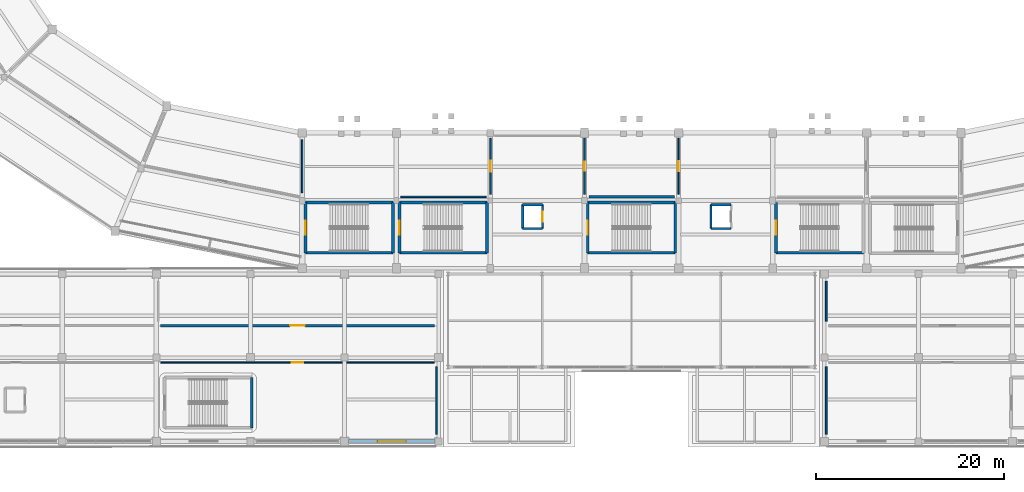
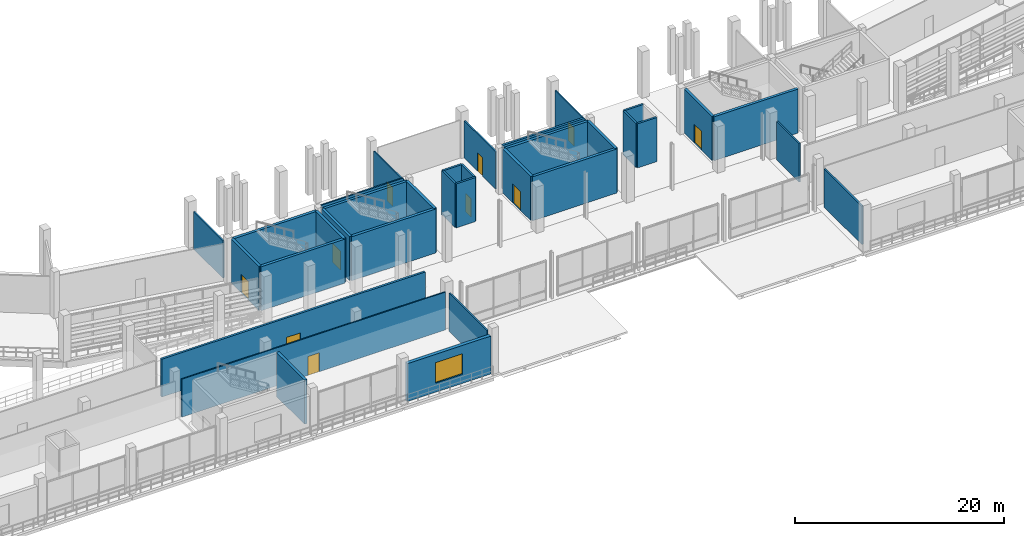
# One storey, part 72 of 114: 34 walls, 10 doors, 1 window, 11 openings.
"""IFC4 building model written with IfcOpenShell, lengths in metres."""

from ifc_helpers import new_model, si_unit, direction, frame, frame_2d, origin, place, context, subcontext, project, spatial, rectangle, extrude, material, layer, layer_set, type_object, element, fill, save


model = new_model("IFC4")

# Units and contexts
model_context = context("Model", 3, precision=1e-05, world=origin(), true_north=direction((0.0, 1.0)))
body_context = subcontext(model_context, "Body", "Model", "MODEL_VIEW")
ifc_project = project(units=[si_unit("LENGTHUNIT", "METRE"), si_unit("AREAUNIT", "SQUARE_METRE"), si_unit("VOLUMEUNIT", "CUBIC_METRE"), si_unit("PLANEANGLEUNIT", "RADIAN"), si_unit("MASSUNIT", "GRAM", prefix="KILO")], contexts=[model_context])

# Site, building, storey
site_placement = place(None, origin())
site = spatial("IfcSite", under=ifc_project, at=site_placement, CompositionType="ELEMENT")
building_placement = place(site_placement, origin())
building = spatial("IfcBuilding", under=site, at=building_placement, Name="Candeia Ridge Stadium", CompositionType="ELEMENT")
storey_placement = place(building_placement, frame((0.0, 0.0, 5.39990234375)))
storey = spatial("IfcBuildingStorey", under=building, at=storey_placement, Name="L01", CompositionType="ELEMENT", Elevation=5.39990234375)

# Wall, opening, door
ifc_material_1 = material(Name="Gypsum Metal-Stud Partition", Category="gypsum")
ifc_layer_1 = layer(ifc_material_1, 0.14501953125, Name="Gypsum Metal-Stud Partition", Category="gypsum")
ifc_layer_set_1 = layer_set([ifc_layer_1], Name="Gypsum Metal-Stud Partition")
wall_type_1 = type_object("IfcWallType", Name="Athlete Recovery Partition 145", PredefinedType="PARTITIONING", material=ifc_layer_set_1)
wall_1_placement = place(storey_placement, frame((91.0, 32.85009765625, 0.0), z_axis=(0.0, 0.0, 1.0), x_axis=(0.0, -1.0, 0.0)))
wall_1 = element("IfcWall", 1, at=wall_1_placement, inside=storey, type_object=wall_type_1, Name="Interior partition PT-L01-0306", PredefinedType="PARTITIONING", context=body_context, shape_type="SweptSolid", body=[
    extrude(rectangle(XDim=6.0, YDim=0.14501953125, at=frame_2d((3.0, 0.0))), origin(), (0.0, 0.0, 1.0), 4.30517578125),
])
opening_1_placement = place(wall_1_placement, frame((2.43994140625, 0.0, 0.0)))
opening_1 = element("IfcOpeningElement", 2, at=opening_1_placement, cuts=wall_1, Name="Opening ID18", PredefinedType="OPENING", context=body_context, shape_type="SweptSolid", body=[
    extrude(rectangle(XDim=1.1201171875, YDim=2.199951171875, at=frame_2d((0.56005859375, 1.10009765625))), frame((0.0, 0.08251953125, 0.0), z_axis=(0.0, -1.0, 0.0), x_axis=(1.0, 0.0, 0.0)), (0.0, 0.0, 1.0), 0.1650390625),
])
ifc_material_2 = material(Name="Galvanized Fire-Rated Steel", Category="steel")
door_type_1 = type_object("IfcDoorType", Name="Control Room Security Door 1120x2200", OperationType="NOTDEFINED", PredefinedType="DOOR", material=ifc_material_2)
door_1_placement = place(opening_1_placement, frame((1.1201171875, 0.0, 0.0), z_axis=(0.0, 0.0, 1.0), x_axis=(-1.0, 0.0, 0.0)))
door_1 = element("IfcDoor", 3, at=door_1_placement, inside=storey, type_object=door_type_1, Name="Interior room door D-L01-0158", OperationType="SINGLE_SWING_RIGHT", OverallHeight=2.199951171875, OverallWidth=1.1201171875, PredefinedType="DOOR", context=body_context, shape_type="SweptSolid", body=[
    extrude(rectangle(XDim=1.1201171875, YDim=2.199951171875, at=frame_2d((0.56005859375, 1.10009765625))), frame((0.0, 0.02490234375, 0.0), z_axis=(0.0, -1.0, 0.0), x_axis=(1.0, 0.0, 0.0)), (0.0, 0.0, 1.0), 0.050048828125),
])
fill(opening_1, door_1)

# Walls
ifc_material_3 = material(Name="Gypsum Acoustic Twin-Stud Assembly", Category="gypsum")
ifc_layer_2 = layer(ifc_material_3, 0.159912109375, Name="Gypsum Acoustic Twin-Stud Assembly", Category="gypsum")
ifc_layer_set_2 = layer_set([ifc_layer_2], Name="Gypsum Acoustic Twin-Stud Assembly")
wall_type_2 = type_object("IfcWallType", Name="Club Dining Acoustic Partition 160", PredefinedType="PARTITIONING", material=ifc_layer_set_2)
wall_2_placement = place(storey_placement, frame((85.300048828125, 8.550048828125, 0.0), z_axis=(0.0, 0.0, 1.0), x_axis=(0.0, -1.0, 0.0)))
element("IfcWall", 4, at=wall_2_placement, inside=storey, type_object=wall_type_2, Name="Demising partition PT-L01-0229", PredefinedType="PARTITIONING", context=body_context, shape_type="SweptSolid", body=[
    extrude(rectangle(XDim=7.199951171875, YDim=0.159912109375, at=frame_2d((3.60009765625, 0.0))), origin(), (0.0, 0.0, 1.0), 4.47509765625),
])
ifc_material_4 = material(Name="Concrete Masonry Blockwork C25/30", Category="masonry")
ifc_layer_3 = layer(ifc_material_4, 0.14990234375, Name="Concrete Masonry Blockwork C25/30", Category="masonry")
ifc_layer_set_3 = layer_set([ifc_layer_3], Name="Concrete Masonry Blockwork C25/30")
wall_type_3 = type_object("IfcWallType", Name="Concourse Kiosk Partition 150", PredefinedType="PARTITIONING", material=ifc_layer_set_3)
wall_3_placement = place(storey_placement, frame((90.550048828125, 26.60009765625, 0.0), z_axis=(0.0, 0.0, 1.0), x_axis=(-1.0, 0.0, 0.0)))
element("IfcWall", 5, at=wall_3_placement, inside=storey, type_object=wall_type_3, Name="Demising partition PT-L01-0307", PredefinedType="PARTITIONING", context=body_context, shape_type="SweptSolid", body=[
    extrude(rectangle(XDim=9.06005859375, YDim=0.14990234375, at=frame_2d((4.530029296875, 0.0))), origin(), (0.0, 0.0, 1.0), 5.1201171875),
])
ifc_material_5 = material(Name="Concrete C45/55", Category="concrete")
ifc_layer_4 = layer(ifc_material_5, 0.300048828125, Name="Concrete C45/55", Category="concrete")
ifc_layer_set_4 = layer_set([ifc_layer_4], Name="Concrete C45/55")
wall_type_4 = type_object("IfcWallType", Name="Core Shear Wall Concrete 300", PredefinedType="SHEAR", material=ifc_layer_set_4)
wall_4_placement = place(storey_placement, frame((71.350341796875, 20.650390625, 0.0), z_axis=(0.0, 0.0, 1.0), x_axis=(1.0, 0.0, 0.0)))
element("IfcWall", 6, at=wall_4_placement, inside=storey, type_object=wall_type_4, Name="Core C02 left shear wall L01", PredefinedType="SHEAR", context=body_context, shape_type="SweptSolid", body=[
    extrude(rectangle(XDim=9.29931640625, YDim=0.300048828125, at=frame_2d((4.649658203125, 0.0))), origin(), (0.0, 0.0, 1.0), 5.14013671875),
])
wall_5_placement = place(storey_placement, frame((80.649658203125, 20.650390625, 0.0), z_axis=(0.0, 0.0, 1.0), x_axis=(0.0, 1.0, 0.0)))
element("IfcWall", 7, at=wall_5_placement, inside=storey, type_object=wall_type_4, Name="Core C02 far shear wall L01", PredefinedType="SHEAR", context=body_context, shape_type="SweptSolid", body=[
    extrude(rectangle(XDim=5.34912109375, YDim=0.300048828125, at=frame_2d((2.674560546875, 0.0))), origin(), (0.0, 0.0, 1.0), 5.14013671875),
])
wall_6_placement = place(storey_placement, frame((80.649658203125, 25.99951171875, 0.0), z_axis=(0.0, 0.0, 1.0), x_axis=(-1.0, 0.0, 0.0)))
element("IfcWall", 8, at=wall_6_placement, inside=storey, type_object=wall_type_4, Name="Core C02 right shear wall L01", PredefinedType="SHEAR", context=body_context, shape_type="SweptSolid", body=[
    extrude(rectangle(XDim=9.29931640625, YDim=0.300048828125, at=frame_2d((4.649658203125, 0.0))), origin(), (0.0, 0.0, 1.0), 5.14013671875),
])

# Wall, opening, door
wall_7_placement = place(storey_placement, frame((71.350341796875, 25.99951171875, 0.0), z_axis=(0.0, 0.0, 1.0), x_axis=(0.0, -1.0, 0.0)))
wall_7 = element("IfcWall", 9, at=wall_7_placement, inside=storey, type_object=wall_type_4, Name="Core C02 near shear wall L01", PredefinedType="SHEAR", context=body_context, shape_type="SweptSolid", body=[
    extrude(rectangle(XDim=5.34912109375, YDim=0.300048828125, at=frame_2d((2.674560546875, 0.0))), origin(), (0.0, 0.0, 1.0), 5.14013671875),
])
opening_2_placement = place(wall_7_placement, frame((1.924560546875, 0.0, 0.0)))
opening_2 = element("IfcOpeningElement", 10, at=opening_2_placement, cuts=wall_7, Name="Opening FD01", PredefinedType="OPENING", context=body_context, shape_type="SweptSolid", body=[
    extrude(rectangle(XDim=1.5, YDim=2.199951171875, at=frame_2d((0.75, 1.10009765625))), frame((0.0, 0.159912109375, 0.0), z_axis=(0.0, -1.0, 0.0), x_axis=(1.0, 0.0, 0.0)), (0.0, 0.0, 1.0), 0.320068359375),
])
door_type_2 = type_object("IfcDoorType", Name="Exit Stair Core Fire Door 1500x2200", OperationType="NOTDEFINED", PredefinedType="DOOR", material=ifc_material_2)
door_2_placement = place(opening_2_placement, origin())
door_2 = element("IfcDoor", 11, at=door_2_placement, inside=storey, type_object=door_type_2, Name="Exit stair fire door SD-ST02-L01", OperationType="DOUBLE_DOOR_SINGLE_SWING", OverallHeight=2.199951171875, OverallWidth=1.5, PredefinedType="DOOR", context=body_context, shape_type="SweptSolid", body=[
    extrude(rectangle(XDim=1.5, YDim=2.199951171875, at=frame_2d((0.75, 1.10009765625))), frame((0.0, 0.02490234375, 0.0), z_axis=(0.0, -1.0, 0.0), x_axis=(1.0, 0.0, 0.0)), (0.0, 0.0, 1.0), 0.050048828125),
])
fill(opening_2, door_2)

# Walls
wall_8_placement = place(storey_placement, frame((81.350341796875, 20.650390625, 0.0), z_axis=(0.0, 0.0, 1.0), x_axis=(1.0, 0.0, 0.0)))
element("IfcWall", 12, at=wall_8_placement, inside=storey, type_object=wall_type_4, Name="Core C11 left shear wall L01", PredefinedType="SHEAR", context=body_context, shape_type="SweptSolid", body=[
    extrude(rectangle(XDim=9.29931640625, YDim=0.300048828125, at=frame_2d((4.649658203125, 0.0))), origin(), (0.0, 0.0, 1.0), 5.14013671875),
])
wall_9_placement = place(storey_placement, frame((90.649658203125, 20.650390625, 0.0), z_axis=(0.0, 0.0, 1.0), x_axis=(0.0, 1.0, 0.0)))
element("IfcWall", 13, at=wall_9_placement, inside=storey, type_object=wall_type_4, Name="Core C11 far shear wall L01", PredefinedType="SHEAR", context=body_context, shape_type="SweptSolid", body=[
    extrude(rectangle(XDim=5.34912109375, YDim=0.300048828125, at=frame_2d((2.674560546875, 0.0))), origin(), (0.0, 0.0, 1.0), 5.14013671875),
])
wall_10_placement = place(storey_placement, frame((90.649658203125, 25.99951171875, 0.0), z_axis=(0.0, 0.0, 1.0), x_axis=(-1.0, 0.0, 0.0)))
element("IfcWall", 14, at=wall_10_placement, inside=storey, type_object=wall_type_4, Name="Core C11 right shear wall L01", PredefinedType="SHEAR", context=body_context, shape_type="SweptSolid", body=[
    extrude(rectangle(XDim=9.29931640625, YDim=0.300048828125, at=frame_2d((4.649658203125, 0.0))), origin(), (0.0, 0.0, 1.0), 5.14013671875),
])

# Wall, opening, door
wall_11_placement = place(storey_placement, frame((81.350341796875, 25.99951171875, 0.0), z_axis=(0.0, 0.0, 1.0), x_axis=(0.0, -1.0, 0.0)))
wall_11 = element("IfcWall", 15, at=wall_11_placement, inside=storey, type_object=wall_type_4, Name="Core C11 near shear wall L01", PredefinedType="SHEAR", context=body_context, shape_type="SweptSolid", body=[
    extrude(rectangle(XDim=5.34912109375, YDim=0.300048828125, at=frame_2d((2.674560546875, 0.0))), origin(), (0.0, 0.0, 1.0), 5.14013671875),
])
opening_3_placement = place(wall_11_placement, frame((1.924560546875, 0.0, 0.0)))
opening_3 = element("IfcOpeningElement", 16, at=opening_3_placement, cuts=wall_11, Name="Opening FD01", PredefinedType="OPENING", context=body_context, shape_type="SweptSolid", body=[
    extrude(rectangle(XDim=1.5, YDim=2.199951171875, at=frame_2d((0.75, 1.10009765625))), frame((0.0, 0.159912109375, 0.0), z_axis=(0.0, -1.0, 0.0), x_axis=(1.0, 0.0, 0.0)), (0.0, 0.0, 1.0), 0.320068359375),
])
door_3_placement = place(opening_3_placement, origin())
door_3 = element("IfcDoor", 17, at=door_3_placement, inside=storey, type_object=door_type_2, Name="Exit stair fire door SD-ST11-L01", OperationType="DOUBLE_DOOR_SINGLE_SWING", OverallHeight=2.199951171875, OverallWidth=1.5, PredefinedType="DOOR", context=body_context, shape_type="SweptSolid", body=[
    extrude(rectangle(XDim=1.5, YDim=2.199951171875, at=frame_2d((0.75, 1.10009765625))), frame((0.0, 0.02490234375, 0.0), z_axis=(0.0, -1.0, 0.0), x_axis=(1.0, 0.0, 0.0)), (0.0, 0.0, 1.0), 0.050048828125),
])
fill(opening_3, door_3)

# Wall
wall_12_placement = place(storey_placement, frame((121.350341796875, 20.650390625, 0.0), z_axis=(0.0, 0.0, 1.0), x_axis=(1.0, 0.0, 0.0)))
element("IfcWall", 18, at=wall_12_placement, inside=storey, type_object=wall_type_4, Name="Core C12 left shear wall L01", PredefinedType="SHEAR", context=body_context, shape_type="SweptSolid", body=[
    extrude(rectangle(XDim=9.29931640625, YDim=0.300048828125, at=frame_2d((4.649658203125, 0.0))), origin(), (0.0, 0.0, 1.0), 5.14013671875),
])

# Wall, opening, door
wall_13_placement = place(storey_placement, frame((121.350341796875, 25.99951171875, 0.0), z_axis=(0.0, 0.0, 1.0), x_axis=(0.0, -1.0, 0.0)))
wall_13 = element("IfcWall", 19, at=wall_13_placement, inside=storey, type_object=wall_type_4, Name="Core C12 near shear wall L01", PredefinedType="SHEAR", context=body_context, shape_type="SweptSolid", body=[
    extrude(rectangle(XDim=5.34912109375, YDim=0.300048828125, at=frame_2d((2.674560546875, 0.0))), origin(), (0.0, 0.0, 1.0), 5.14013671875),
])
opening_4_placement = place(wall_13_placement, frame((1.924560546875, 0.0, 0.0)))
opening_4 = element("IfcOpeningElement", 20, at=opening_4_placement, cuts=wall_13, Name="Opening FD01", PredefinedType="OPENING", context=body_context, shape_type="SweptSolid", body=[
    extrude(rectangle(XDim=1.5, YDim=2.199951171875, at=frame_2d((0.75, 1.10009765625))), frame((0.0, 0.159912109375, 0.0), z_axis=(0.0, -1.0, 0.0), x_axis=(1.0, 0.0, 0.0)), (0.0, 0.0, 1.0), 0.320068359375),
])
door_4_placement = place(opening_4_placement, origin())
door_4 = element("IfcDoor", 21, at=door_4_placement, inside=storey, type_object=door_type_2, Name="Exit stair fire door SD-ST12-L01", OperationType="DOUBLE_DOOR_SINGLE_SWING", OverallHeight=2.199951171875, OverallWidth=1.5, PredefinedType="DOOR", context=body_context, shape_type="SweptSolid", body=[
    extrude(rectangle(XDim=1.5, YDim=2.199951171875, at=frame_2d((0.75, 1.10009765625))), frame((0.0, 0.02490234375, 0.0), z_axis=(0.0, -1.0, 0.0), x_axis=(1.0, 0.0, 0.0)), (0.0, 0.0, 1.0), 0.050048828125),
])
fill(opening_4, door_4)

# Walls
wall_14_placement = place(storey_placement, frame((65.649658203125, 2.05029296875, 0.0), z_axis=(0.0, 0.0, 1.0), x_axis=(0.0, 1.0, 0.0)))
element("IfcWall", 22, at=wall_14_placement, inside=storey, type_object=wall_type_4, Name="Core C13 far shear wall L01", PredefinedType="SHEAR", context=body_context, shape_type="SweptSolid", body=[
    extrude(rectangle(XDim=5.349365234375, YDim=0.300048828125, at=frame_2d((2.6748046875, 0.0))), origin(), (0.0, 0.0, 1.0), 5.14013671875),
])
wall_15_placement = place(storey_placement, frame((101.350341796875, 20.650390625, 0.0), z_axis=(0.0, 0.0, 1.0), x_axis=(1.0, 0.0, 0.0)))
element("IfcWall", 23, at=wall_15_placement, inside=storey, type_object=wall_type_4, Name="Core C18 left shear wall L01", PredefinedType="SHEAR", context=body_context, shape_type="SweptSolid", body=[
    extrude(rectangle(XDim=9.29931640625, YDim=0.300048828125, at=frame_2d((4.649658203125, 0.0))), origin(), (0.0, 0.0, 1.0), 5.14013671875),
])
wall_16_placement = place(storey_placement, frame((110.649658203125, 20.650390625, 0.0), z_axis=(0.0, 0.0, 1.0), x_axis=(0.0, 1.0, 0.0)))
element("IfcWall", 24, at=wall_16_placement, inside=storey, type_object=wall_type_4, Name="Core C18 far shear wall L01", PredefinedType="SHEAR", context=body_context, shape_type="SweptSolid", body=[
    extrude(rectangle(XDim=5.34912109375, YDim=0.300048828125, at=frame_2d((2.674560546875, 0.0))), origin(), (0.0, 0.0, 1.0), 5.14013671875),
])
wall_17_placement = place(storey_placement, frame((110.649658203125, 25.99951171875, 0.0), z_axis=(0.0, 0.0, 1.0), x_axis=(-1.0, 0.0, 0.0)))
element("IfcWall", 25, at=wall_17_placement, inside=storey, type_object=wall_type_4, Name="Core C18 right shear wall L01", PredefinedType="SHEAR", context=body_context, shape_type="SweptSolid", body=[
    extrude(rectangle(XDim=9.29931640625, YDim=0.300048828125, at=frame_2d((4.649658203125, 0.0))), origin(), (0.0, 0.0, 1.0), 5.14013671875),
])

# Wall, opening, door
wall_18_placement = place(storey_placement, frame((101.350341796875, 25.99951171875, 0.0), z_axis=(0.0, 0.0, 1.0), x_axis=(0.0, -1.0, 0.0)))
wall_18 = element("IfcWall", 26, at=wall_18_placement, inside=storey, type_object=wall_type_4, Name="Core C18 near shear wall L01", PredefinedType="SHEAR", context=body_context, shape_type="SweptSolid", body=[
    extrude(rectangle(XDim=5.34912109375, YDim=0.300048828125, at=frame_2d((2.674560546875, 0.0))), origin(), (0.0, 0.0, 1.0), 5.14013671875),
])
opening_5_placement = place(wall_18_placement, frame((1.924560546875, 0.0, 0.0)))
opening_5 = element("IfcOpeningElement", 27, at=opening_5_placement, cuts=wall_18, Name="Opening FD01", PredefinedType="OPENING", context=body_context, shape_type="SweptSolid", body=[
    extrude(rectangle(XDim=1.5, YDim=2.199951171875, at=frame_2d((0.75, 1.10009765625))), frame((0.0, 0.159912109375, 0.0), z_axis=(0.0, -1.0, 0.0), x_axis=(1.0, 0.0, 0.0)), (0.0, 0.0, 1.0), 0.320068359375),
])
door_5_placement = place(opening_5_placement, origin())
door_5 = element("IfcDoor", 28, at=door_5_placement, inside=storey, type_object=door_type_2, Name="Exit stair fire door SD-ST18-L01", OperationType="DOUBLE_DOOR_SINGLE_SWING", OverallHeight=2.199951171875, OverallWidth=1.5, PredefinedType="DOOR", context=body_context, shape_type="SweptSolid", body=[
    extrude(rectangle(XDim=1.5, YDim=2.199951171875, at=frame_2d((0.75, 1.10009765625))), frame((0.0, 0.02490234375, 0.0), z_axis=(0.0, -1.0, 0.0), x_axis=(1.0, 0.0, 0.0)), (0.0, 0.0, 1.0), 0.050048828125),
])
fill(opening_5, door_5)

ifc_material_6 = material(Name="Moisture-Resistant Masonry & Tile", Category="masonry")
ifc_layer_5 = layer(ifc_material_6, 0.22998046875, Name="Moisture-Resistant Masonry & Tile", Category="masonry")
ifc_layer_set_5 = layer_set([ifc_layer_5], Name="Moisture-Resistant Masonry & Tile")
wall_type_5 = type_object("IfcWallType", Name="Dressing Suite Wet-Wall Chase 230", PredefinedType="PLUMBINGWALL", material=ifc_layer_set_5)
wall_19_placement = place(storey_placement, frame((85.050048828125, 12.89990234375, 0.0), z_axis=(0.0, 0.0, 1.0), x_axis=(-1.0, 0.0, 0.0)))
wall_19 = element("IfcWall", 29, at=wall_19_placement, inside=storey, type_object=wall_type_5, Name="Interior partition PT-L01-0230", PredefinedType="PLUMBINGWALL", context=body_context, shape_type="SweptSolid", body=[
    extrude(rectangle(XDim=29.10009765625, YDim=0.22998046875, at=frame_2d((14.550048828125, 0.0))), origin(), (0.0, 0.0, 1.0), 4.425048828125),
])
opening_6_placement = place(wall_19_placement, frame((13.77490234375, 0.0, 0.0)))
opening_6 = element("IfcOpeningElement", 30, at=opening_6_placement, cuts=wall_19, Name="Opening ID14", PredefinedType="OPENING", context=body_context, shape_type="SweptSolid", body=[
    extrude(rectangle(XDim=1.550048828125, YDim=2.14990234375, at=frame_2d((0.77490234375, 1.074951171875))), frame((0.0, 0.125, 0.0), z_axis=(0.0, -1.0, 0.0), x_axis=(1.0, 0.0, 0.0)), (0.0, 0.0, 1.0), 0.25),
])
ifc_material_7 = material(Name="Brushed Stainless Steel", Category="steel")
door_type_3 = type_object("IfcDoorType", Name="Catering Kitchen Double Door 1550x2150", OperationType="NOTDEFINED", PredefinedType="DOOR", material=ifc_material_7)
door_6_placement = place(opening_6_placement, origin())
door_6 = element("IfcDoor", 31, at=door_6_placement, inside=storey, type_object=door_type_3, Name="Interior room door D-L01-0120", OperationType="DOUBLE_DOOR_SINGLE_SWING", OverallHeight=2.14990234375, OverallWidth=1.550048828125, PredefinedType="DOOR", context=body_context, shape_type="SweptSolid", body=[
    extrude(rectangle(XDim=1.550048828125, YDim=2.14990234375, at=frame_2d((0.77490234375, 1.074951171875))), frame((0.0, 0.02490234375, 0.0), z_axis=(0.0, -1.0, 0.0), x_axis=(1.0, 0.0, 0.0)), (0.0, 0.0, 1.0), 0.050048828125),
])
fill(opening_6, door_6)

# Wall
wall_20_placement = place(storey_placement, frame((110.550048828125, 26.60009765625, 0.0), z_axis=(0.0, 0.0, 1.0), x_axis=(-1.0, 0.0, 0.0)))
element("IfcWall", 32, at=wall_20_placement, inside=storey, type_object=wall_type_5, Name="Demising partition PT-L01-0311", PredefinedType="PLUMBINGWALL", context=body_context, shape_type="SweptSolid", body=[
    extrude(rectangle(XDim=9.06005859375, YDim=0.22998046875, at=frame_2d((4.530029296875, 0.0))), origin(), (0.0, 0.0, 1.0), 5.1201171875),
])

# Wall, opening, window
ifc_material_8 = material(Name="Concrete C40/50", Category="concrete")
ifc_layer_6 = layer(ifc_material_8, 0.3798828125, Name="Concrete C40/50", Category="concrete")
ifc_layer_set_6 = layer_set([ifc_layer_6], Name="Concrete C40/50")
wall_type_6 = type_object("IfcWallType", Name="Exterior Museum Gallery Wall 380", PredefinedType="SOLIDWALL", material=ifc_layer_set_6)
wall_21_placement = place(storey_placement, frame((75.9130859375, 0.60009765625, 0.0), z_axis=(0.0, 0.0, 1.0), x_axis=(1.0, 0.0, 0.0)))
wall_21 = element("IfcWall", 33, at=wall_21_placement, inside=storey, type_object=wall_type_6, Name="Exterior facade wall EW-L01-0172", PredefinedType="SOLIDWALL", context=body_context, shape_type="SweptSolid", body=[
    extrude(rectangle(XDim=9.223876953125, YDim=0.3798828125, at=frame_2d((4.61181640625, 0.0))), origin(), (0.0, 0.0, 1.0), 4.425048828125),
])
opening_7_placement = place(wall_21_placement, frame((3.112060546875, 0.0, 1.050048828125)))
opening_7 = element("IfcOpeningElement", 34, at=opening_7_placement, cuts=wall_21, Name="Opening W01", PredefinedType="OPENING", context=body_context, shape_type="SweptSolid", body=[
    extrude(rectangle(XDim=3.0, YDim=2.39990234375, at=frame_2d((1.5, 1.199951171875))), frame((0.0, 0.199951171875, 0.0), z_axis=(0.0, -1.0, 0.0), x_axis=(1.0, 0.0, 0.0)), (0.0, 0.0, 1.0), 0.39990234375),
])
ifc_material_9 = material(Name="Tempered Solar-Control Double Glazing", Category="glass")
window_type = type_object("IfcWindowType", Name="Boulevard Showcase Window 3000x2400", PartitioningType="SINGLE_PANEL", PredefinedType="WINDOW", material=ifc_material_9)
window_placement = place(opening_7_placement, origin())
window = element("IfcWindow", 35, at=window_placement, inside=storey, type_object=window_type, Name="Exterior window WIN-L01-093", OverallHeight=2.39990234375, OverallWidth=3.0, PartitioningType="SINGLE_PANEL", PredefinedType="WINDOW", context=body_context, shape_type="SweptSolid", body=[
    extrude(rectangle(XDim=3.0, YDim=2.39990234375, at=frame_2d((1.5, 1.199951171875))), frame((0.0, 0.030029296875, 0.0), z_axis=(0.0, -1.0, 0.0), x_axis=(1.0, 0.0, 0.0)), (0.0, 0.0, 1.0), 0.06005859375),
])
fill(opening_7, window)

# Wall, opening, door
ifc_layer_7 = layer(ifc_material_1, 0.135009765625, Name="Gypsum Metal-Stud Partition", Category="gypsum")
ifc_layer_set_7 = layer_set([ifc_layer_7], Name="Gypsum Metal-Stud Partition")
wall_type_7 = type_object("IfcWallType", Name="General Room Partition 135", PredefinedType="PARTITIONING", material=ifc_layer_set_7)
wall_22_placement = place(storey_placement, frame((55.949951171875, 9.0, 0.0), z_axis=(0.0, 0.0, 1.0), x_axis=(1.0, 0.0, 0.0)))
wall_22 = element("IfcWall", 36, at=wall_22_placement, inside=storey, type_object=wall_type_7, Name="Interior partition PT-L01-0228", PredefinedType="PARTITIONING", context=body_context, shape_type="SweptSolid", body=[
    extrude(rectangle(XDim=29.10009765625, YDim=0.135009765625, at=frame_2d((14.550048828125, 0.0))), origin(), (0.0, 0.0, 1.0), 4.425048828125),
])
opening_8_placement = place(wall_22_placement, frame((13.925048828125, 0.0, 0.0)))
opening_8 = element("IfcOpeningElement", 37, at=opening_8_placement, cuts=wall_22, Name="Opening ID11", PredefinedType="OPENING", context=body_context, shape_type="SweptSolid", body=[
    extrude(rectangle(XDim=1.25, YDim=2.199951171875, at=frame_2d((0.625, 1.10009765625))), frame((0.0, 0.077392578125, 0.0), z_axis=(0.0, -1.0, 0.0), x_axis=(1.0, 0.0, 0.0)), (0.0, 0.0, 1.0), 0.155029296875),
])
ifc_material_10 = material(Name="Acoustic Timber Studio Leaf", Category="wood")
door_type_4 = type_object("IfcDoorType", Name="Press Tribune Acoustic Door 1250x2200", OperationType="NOTDEFINED", PredefinedType="DOOR", material=ifc_material_10)
door_7_placement = place(opening_8_placement, origin())
door_7 = element("IfcDoor", 38, at=door_7_placement, inside=storey, type_object=door_type_4, Name="Interior room door D-L01-0119", OperationType="SINGLE_SWING_LEFT", OverallHeight=2.199951171875, OverallWidth=1.25, PredefinedType="DOOR", context=body_context, shape_type="SweptSolid", body=[
    extrude(rectangle(XDim=1.25, YDim=2.199951171875, at=frame_2d((0.625, 1.10009765625))), frame((0.0, 0.02490234375, 0.0), z_axis=(0.0, -1.0, 0.0), x_axis=(1.0, 0.0, 0.0)), (0.0, 0.0, 1.0), 0.050048828125),
])
fill(opening_8, door_7)

# Walls
ifc_layer_8 = layer(ifc_material_3, 0.1650390625, Name="Gypsum Acoustic Twin-Stud Assembly", Category="gypsum")
ifc_layer_set_8 = layer_set([ifc_layer_8], Name="Gypsum Acoustic Twin-Stud Assembly")
wall_type_8 = type_object("IfcWallType", Name="Hospitality Suite Acoustic Wall 165", PredefinedType="PARTITIONING", material=ifc_layer_set_8)
wall_23_placement = place(storey_placement, frame((126.699951171875, 13.35009765625, 0.0), z_axis=(0.0, 0.0, 1.0), x_axis=(0.0, 1.0, 0.0)))
element("IfcWall", 39, at=wall_23_placement, inside=storey, type_object=wall_type_8, Name="Demising partition PT-L01-0235", PredefinedType="PARTITIONING", context=body_context, shape_type="SweptSolid", body=[
    extrude(rectangle(XDim=4.2998046875, YDim=0.1650390625, at=frame_2d((2.14990234375, 0.0))), origin(), (0.0, 0.0, 1.0), 4.47509765625),
])
wall_24_placement = place(storey_placement, frame((71.0, 32.64990234375, 0.0), z_axis=(0.0, 0.0, 1.0), x_axis=(0.0, -1.0, 0.0)))
element("IfcWall", 40, at=wall_24_placement, inside=storey, type_object=wall_type_8, Name="Demising partition PT-L01-0305", PredefinedType="PARTITIONING", context=body_context, shape_type="SweptSolid", body=[
    extrude(rectangle(XDim=5.599853515625, YDim=0.1650390625, at=frame_2d((2.7998046875, 0.0))), origin(), (0.0, 0.0, 1.0), 4.364990234375),
])

# Wall, opening, door
wall_25_placement = place(storey_placement, frame((101.0, 32.85009765625, 0.0), z_axis=(0.0, 0.0, 1.0), x_axis=(0.0, -1.0, 0.0)))
wall_25 = element("IfcWall", 41, at=wall_25_placement, inside=storey, type_object=wall_type_8, Name="Interior partition PT-L01-0308", PredefinedType="PARTITIONING", context=body_context, shape_type="SweptSolid", body=[
    extrude(rectangle(XDim=6.0, YDim=0.1650390625, at=frame_2d((3.0, 0.0))), origin(), (0.0, 0.0, 1.0), 4.34521484375),
])
opening_9_placement = place(wall_25_placement, frame((2.5, 0.0, 0.0)))
opening_9 = element("IfcOpeningElement", 42, at=opening_9_placement, cuts=wall_25, Name="Opening ID04", PredefinedType="OPENING", context=body_context, shape_type="SweptSolid", body=[
    extrude(rectangle(XDim=1.0, YDim=2.14990234375, at=frame_2d((0.5, 1.074951171875))), frame((0.0, 0.092529296875, 0.0), z_axis=(0.0, -1.0, 0.0), x_axis=(1.0, 0.0, 0.0)), (0.0, 0.0, 1.0), 0.18505859375),
])
ifc_material_11 = material(Name="Powder-Coated Hollow Metal", Category="steel")
door_type_5 = type_object("IfcDoorType", Name="Concourse Kiosk Service Door 1000x2150", OperationType="NOTDEFINED", PredefinedType="DOOR", material=ifc_material_11)
door_8_placement = place(opening_9_placement, origin())
door_8 = element("IfcDoor", 43, at=door_8_placement, inside=storey, type_object=door_type_5, Name="Interior room door D-L01-0159", OperationType="SINGLE_SWING_LEFT", OverallHeight=2.14990234375, OverallWidth=1.0, PredefinedType="DOOR", context=body_context, shape_type="SweptSolid", body=[
    extrude(rectangle(XDim=1.0, YDim=2.14990234375, at=frame_2d((0.5, 1.074951171875))), frame((0.0, 0.02490234375, 0.0), z_axis=(0.0, -1.0, 0.0), x_axis=(1.0, 0.0, 0.0)), (0.0, 0.0, 1.0), 0.050048828125),
])
fill(opening_9, door_8)

# Wall
ifc_layer_9 = layer(ifc_material_8, 0.219970703125, Name="Concrete C40/50", Category="concrete")
ifc_layer_set_9 = layer_set([ifc_layer_9], Name="Concrete C40/50")
wall_type_9 = type_object("IfcWallType", Name="Lift & Riser Shaft Wall 220", PredefinedType="SHEAR", material=ifc_layer_set_9)
wall_26_placement = place(storey_placement, frame((94.43994140625, 23.239990234375, 0.0), z_axis=(0.0, 0.0, 1.0), x_axis=(1.0, 0.0, 0.0)))
element("IfcWall", 44, at=wall_26_placement, inside=storey, type_object=wall_type_9, Name="Lift PL3 shaft wall L01 south", PredefinedType="SHEAR", context=body_context, shape_type="SweptSolid", body=[
    extrude(rectangle(XDim=2.1201171875, YDim=0.219970703125, at=frame_2d((1.06005859375, 0.0))), origin(), (0.0, 0.0, 1.0), 5.14013671875),
])

# Wall, opening, door
wall_27_placement = place(storey_placement, frame((96.56005859375, 23.239990234375, 0.0), z_axis=(0.0, 0.0, 1.0), x_axis=(0.0, 1.0, 0.0)))
wall_27 = element("IfcWall", 45, at=wall_27_placement, inside=storey, type_object=wall_type_9, Name="Lift PL3 shaft wall L01 east", PredefinedType="SHEAR", context=body_context, shape_type="SweptSolid", body=[
    extrude(rectangle(XDim=2.52001953125, YDim=0.219970703125, at=frame_2d((1.260009765625, 0.0))), origin(), (0.0, 0.0, 1.0), 5.14013671875),
])
opening_10_placement = place(wall_27_placement, frame((0.735107421875, 0.0, 0.0)))
opening_10 = element("IfcOpeningElement", 46, at=opening_10_placement, cuts=wall_27, Name="Opening LD02", PredefinedType="OPENING", context=body_context, shape_type="SweptSolid", body=[
    extrude(rectangle(XDim=1.050048828125, YDim=2.14990234375, at=frame_2d((0.52490234375, 1.074951171875))), frame((0.0, 0.119873046875, 0.0), z_axis=(0.0, -1.0, 0.0), x_axis=(1.0, 0.0, 0.0)), (0.0, 0.0, 1.0), 0.239990234375),
])
door_type_6 = type_object("IfcDoorType", Name="Passenger Lift Landing Door 1050x2150", OperationType="NOTDEFINED", PredefinedType="DOOR", material=ifc_material_7)
door_9_placement = place(opening_10_placement, origin())
door_9 = element("IfcDoor", 47, at=door_9_placement, inside=storey, type_object=door_type_6, Name="Lift landing sliding door LD-PL3-L01", OperationType="DOUBLE_DOOR_SLIDING", OverallHeight=2.14990234375, OverallWidth=1.050048828125, PredefinedType="DOOR", context=body_context, shape_type="SweptSolid", body=[
    extrude(rectangle(XDim=1.050048828125, YDim=2.14990234375, at=frame_2d((0.52490234375, 1.074951171875))), frame((0.0, 0.02490234375, 0.0), z_axis=(0.0, -1.0, 0.0), x_axis=(1.0, 0.0, 0.0)), (0.0, 0.0, 1.0), 0.050048828125),
])
fill(opening_10, door_9)

# Walls
wall_28_placement = place(storey_placement, frame((96.56005859375, 25.760009765625, 0.0), z_axis=(0.0, 0.0, 1.0), x_axis=(-1.0, 0.0, 0.0)))
element("IfcWall", 48, at=wall_28_placement, inside=storey, type_object=wall_type_9, Name="Lift PL3 shaft wall L01 north", PredefinedType="SHEAR", context=body_context, shape_type="SweptSolid", body=[
    extrude(rectangle(XDim=2.1201171875, YDim=0.219970703125, at=frame_2d((1.06005859375, 0.0))), origin(), (0.0, 0.0, 1.0), 5.14013671875),
])
wall_29_placement = place(storey_placement, frame((94.43994140625, 25.760009765625, 0.0), z_axis=(0.0, 0.0, 1.0), x_axis=(0.0, -1.0, 0.0)))
element("IfcWall", 49, at=wall_29_placement, inside=storey, type_object=wall_type_9, Name="Lift PL3 shaft wall L01 west", PredefinedType="SHEAR", context=body_context, shape_type="SweptSolid", body=[
    extrude(rectangle(XDim=2.52001953125, YDim=0.219970703125, at=frame_2d((1.260009765625, 0.0))), origin(), (0.0, 0.0, 1.0), 5.14013671875),
])
for number, where, z_axis, x_axis, name in (
    (50, (114.43994140625, 23.239990234375, 0.0), (0.0, 0.0, 1.0), (1.0, 0.0, 0.0), "Lift PL4 shaft wall L01 south"),
    (51, (116.56005859375, 25.760009765625, 0.0), (0.0, 0.0, 1.0), (-1.0, 0.0, 0.0), "Lift PL4 shaft wall L01 north"),
):
    element("IfcWall", number, at=place(storey_placement, frame(where, z_axis=z_axis, x_axis=x_axis)), inside=storey, type_object=wall_type_9, Name=name, PredefinedType="SHEAR", context=body_context, shape_type="SweptSolid", body=[
        extrude(rectangle(XDim=2.1201171875, YDim=0.219970703125, at=frame_2d((1.06005859375, 0.0))), origin(), (0.0, 0.0, 1.0), 5.14013671875),
    ])
wall_30_placement = place(storey_placement, frame((114.43994140625, 25.760009765625, 0.0), z_axis=(0.0, 0.0, 1.0), x_axis=(0.0, -1.0, 0.0)))
element("IfcWall", 52, at=wall_30_placement, inside=storey, type_object=wall_type_9, Name="Lift PL4 shaft wall L01 west", PredefinedType="SHEAR", context=body_context, shape_type="SweptSolid", body=[
    extrude(rectangle(XDim=2.52001953125, YDim=0.219970703125, at=frame_2d((1.260009765625, 0.0))), origin(), (0.0, 0.0, 1.0), 5.14013671875),
])
ifc_material_12 = material(Name="Gypsum Acoustic Triple-Board Wall", Category="gypsum")
ifc_layer_10 = layer(ifc_material_12, 0.18505859375, Name="Gypsum Acoustic Triple-Board Wall", Category="gypsum")
ifc_layer_set_10 = layer_set([ifc_layer_10], Name="Gypsum Acoustic Triple-Board Wall")
wall_type_10 = type_object("IfcWallType", Name="Media Booth Studio Divider 185", PredefinedType="PARTITIONING", material=ifc_layer_set_10)
wall_31_placement = place(storey_placement, frame((126.699951171875, 1.35009765625, 0.0), z_axis=(0.0, 0.0, 1.0), x_axis=(0.0, 1.0, 0.0)))
element("IfcWall", 53, at=wall_31_placement, inside=storey, type_object=wall_type_10, Name="Demising partition PT-L01-0233", PredefinedType="PARTITIONING", context=body_context, shape_type="SweptSolid", body=[
    extrude(rectangle(XDim=7.199951171875, YDim=0.18505859375, at=frame_2d((3.60009765625, 0.0))), origin(), (0.0, 0.0, 1.0), 4.47509765625),
])

# Wall, opening, door
ifc_layer_11 = layer(ifc_material_1, 0.1201171875, Name="Gypsum Metal-Stud Partition", Category="gypsum")
ifc_layer_set_11 = layer_set([ifc_layer_11], Name="Gypsum Metal-Stud Partition")
wall_type_11 = type_object("IfcWallType", Name="Suite Internal Divider 120", PredefinedType="PARTITIONING", material=ifc_layer_set_11)
wall_32_placement = place(storey_placement, frame((111.0, 32.85009765625, 0.0), z_axis=(0.0, 0.0, 1.0), x_axis=(0.0, -1.0, 0.0)))
wall_32 = element("IfcWall", 54, at=wall_32_placement, inside=storey, type_object=wall_type_11, Name="Interior partition PT-L01-0310", PredefinedType="PARTITIONING", context=body_context, shape_type="SweptSolid", body=[
    extrude(rectangle(XDim=6.0, YDim=0.1201171875, at=frame_2d((3.0, 0.0))), origin(), (0.0, 0.0, 1.0), 4.375),
])
opening_11_placement = place(wall_32_placement, frame((2.449951171875, 0.0, 0.0)))
opening_11 = element("IfcOpeningElement", 55, at=opening_11_placement, cuts=wall_32, Name="Opening FD04", PredefinedType="OPENING", context=body_context, shape_type="SweptSolid", body=[
    extrude(rectangle(XDim=1.10009765625, YDim=2.14990234375, at=frame_2d((0.550048828125, 1.074951171875))), frame((0.0, 0.070068359375, 0.0), z_axis=(0.0, -1.0, 0.0), x_axis=(1.0, 0.0, 0.0)), (0.0, 0.0, 1.0), 0.14013671875),
])
door_type_7 = type_object("IfcDoorType", Name="Plant & Riser Rated Door 1100x2150", OperationType="NOTDEFINED", PredefinedType="DOOR", material=ifc_material_2)
door_10_placement = place(opening_11_placement, origin())
door_10 = element("IfcDoor", 56, at=door_10_placement, inside=storey, type_object=door_type_7, Name="Interior room door D-L01-0160", OperationType="SINGLE_SWING_RIGHT", OverallHeight=2.14990234375, OverallWidth=1.10009765625, PredefinedType="DOOR", context=body_context, shape_type="SweptSolid", body=[
    extrude(rectangle(XDim=1.10009765625, YDim=2.14990234375, at=frame_2d((0.550048828125, 1.074951171875))), frame((0.0, 0.02490234375, 0.0), z_axis=(0.0, -1.0, 0.0), x_axis=(1.0, 0.0, 0.0)), (0.0, 0.0, 1.0), 0.050048828125),
])
fill(opening_11, door_10)

save(model, "model.ifc")
